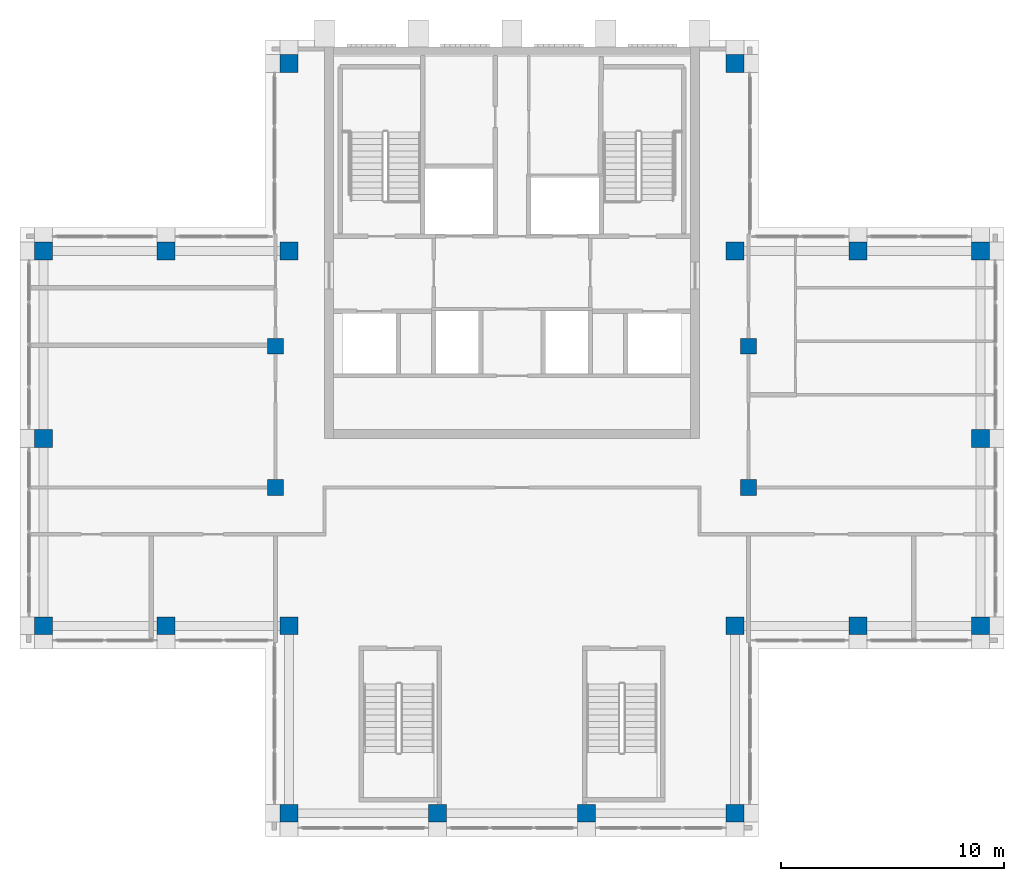
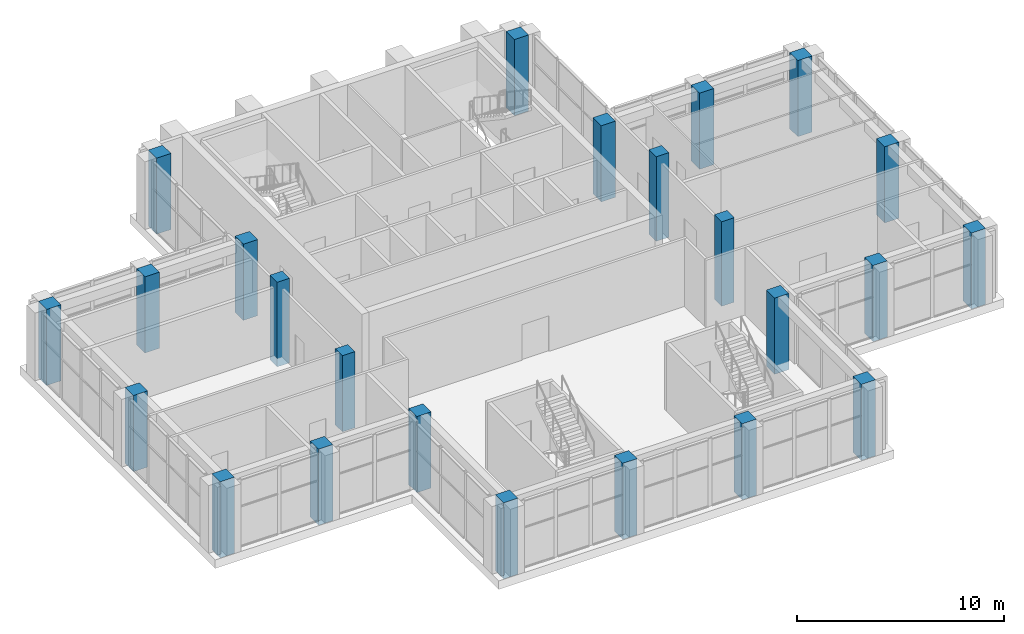
# One storey, part 1 of 14: 24 columns.
"""IFC4 building model written with IfcOpenShell, lengths in metres."""

import ifcopenshell
import ifcopenshell.guid

model = None  # the IFC model being written
_history = None  # IfcOwnerHistory: only IFC2X3 demands one
_inside = {}  # id of a spatial element -> (the spatial element, [elements in it])
_under = {}  # id of a project, library or spatial element -> (it, [spatial elements below it])
_declared = {}  # id of a project -> (the project, [libraries it declares])
_typed = {}  # id of a type object -> (the type object, [elements of that type])
_made_of = {}  # id of a material, layer set ... -> (it, [elements and type objects made of it])


def new_model(schema):
    """Start an empty IFC model of exactly this schema.

    Asked for "IFC4X3", IfcOpenShell would pick the latest addendum, in which some entities
    have other attributes; the version numbers below select the first issue.
    IFC2X3 requires an IfcOwnerHistory on every rooted entity: one is made here for all.
    """
    global model, _history
    if schema == "IFC4X3":
        model = ifcopenshell.file(schema_version=(4, 3, 0, 0))
    else:
        model = ifcopenshell.file(schema=schema)
    _inside.clear()
    _under.clear()
    _declared.clear()
    _typed.clear()
    _made_of.clear()
    _history = None
    if model.schema == "IFC2X3":
        org = make("IfcOrganization", Name="unknown")
        user = make(
            "IfcPersonAndOrganization",
            ThePerson=make("IfcPerson", FamilyName="unknown"),
            TheOrganization=org,
        )
        app = make(
            "IfcApplication",
            ApplicationDeveloper=org,
            Version="unknown",
            ApplicationFullName="unknown",
            ApplicationIdentifier="unknown",
        )
        _history = make(
            "IfcOwnerHistory",
            OwningUser=user,
            OwningApplication=app,
            ChangeAction="ADDED",
            CreationDate=0,
        )
    return model


def make(cls, **values):
    """One entity of the class cls with the attributes given. An attribute that is None is left unset."""
    return model.create_entity(
        cls, **{name: value for name, value in values.items() if value is not None}
    )


def rooted(cls, **values):
    """An entity with a GlobalId (a new one), such as an element, a storey or a relation."""
    return make(cls, GlobalId=ifcopenshell.guid.new(), OwnerHistory=_history, **values)


def si_unit(unit_type, name, prefix=None):
    """IfcSIUnit, for example si_unit("LENGTHUNIT", "METRE", prefix="MILLI")."""
    return make("IfcSIUnit", UnitType=unit_type, Prefix=prefix, Name=name)


def assignment(units):
    """IfcUnitAssignment: the units of a project."""
    return None if units is None else make("IfcUnitAssignment", Units=units)


def point(xyz):
    """IfcCartesianPoint."""
    return None if xyz is None else make("IfcCartesianPoint", Coordinates=xyz)


def direction(xyz):
    """IfcDirection."""
    return None if xyz is None else make("IfcDirection", DirectionRatios=xyz)


def frame(location, z_axis=None, x_axis=None):
    """IfcAxis2Placement3D, a coordinate frame: its origin and axes. An axis left out is left unset."""
    return make(
        "IfcAxis2Placement3D",
        Location=point(location),
        Axis=direction(z_axis),
        RefDirection=direction(x_axis),
    )


def frame_2d(location, x_axis=None):
    """IfcAxis2Placement2D, a coordinate frame in the plane: its origin and x axis."""
    return make(
        "IfcAxis2Placement2D", Location=point(location), RefDirection=direction(x_axis)
    )


def origin():
    """The frame at (0, 0, 0) with its axes left unset."""
    return frame((0.0, 0.0, 0.0))


def origin_2d():
    """The frame at (0, 0) in the plane with its x axis left unset."""
    return frame_2d((0.0, 0.0))


def place(relative_to, where):
    """IfcLocalPlacement: puts the frame where relative to a parent placement (None: the world)."""
    return make(
        "IfcLocalPlacement", PlacementRelTo=relative_to, RelativePlacement=where
    )


def context(
    kind, dimensions, precision=None, world=None, true_north=None, identifier=None
):
    """IfcGeometricRepresentationContext, for example the 3D "Model" context."""
    return make(
        "IfcGeometricRepresentationContext",
        ContextIdentifier=identifier,
        ContextType=kind,
        CoordinateSpaceDimension=dimensions,
        Precision=precision,
        WorldCoordinateSystem=world,
        TrueNorth=true_north,
    )


def subcontext(parent, identifier, kind, view, scale=None):
    """IfcGeometricRepresentationSubContext, for example "Body" below "Model"."""
    return make(
        "IfcGeometricRepresentationSubContext",
        ContextIdentifier=identifier,
        ContextType=kind,
        ParentContext=parent,
        TargetScale=scale,
        TargetView=view,
    )


def project(units=None, contexts=None):
    """IfcProject with its units and contexts."""
    return rooted(
        "IfcProject",
        Name="project",
        RepresentationContexts=contexts,
        UnitsInContext=assignment(units),
    )


def spatial(cls, under=None, at=None, **own):
    """A site, building, storey or space (cls), placed at a placement, below another one or the project."""
    s = rooted(cls, ObjectPlacement=at, **own)
    if under is not None:
        _under.setdefault(under.id(), (under, []))[1].append(s)
    return s


def profile(cls, at=None, kind="AREA", **sizes):
    """A parametric profile (cls). Its sizes go by their IFC names, for example OverallWidth=200.0."""
    return make(cls, ProfileType=kind, Position=at, **sizes)


def rectangle(**sizes):
    """IfcRectangleProfileDef."""
    return profile("IfcRectangleProfileDef", **sizes)


def extrude(swept, where, along, depth):
    """IfcExtrudedAreaSolid: the profile swept, set in the frame where, extruded along a direction by depth."""
    return make(
        "IfcExtrudedAreaSolid",
        SweptArea=swept,
        Position=where,
        ExtrudedDirection=direction(along),
        Depth=depth,
    )


def shape(context_of_items, identifier, shape_type, items):
    """IfcShapeRepresentation: the items that make up one representation, for example the "Body"."""
    return make(
        "IfcShapeRepresentation",
        ContextOfItems=context_of_items,
        RepresentationIdentifier=identifier,
        RepresentationType=shape_type,
        Items=items,
    )


def material(Name=None, Category=None):
    """IfcMaterial."""
    return make("IfcMaterial", Name=Name, Category=Category)


def material_profile(
    of_material, cross_section, Name=None, Category=None, Priority=None
):
    """IfcMaterialProfile: a cross section and its material."""
    return make(
        "IfcMaterialProfile",
        Name=Name,
        Material=of_material,
        Profile=cross_section,
        Priority=Priority,
        Category=Category,
    )


def profile_set(profiles, Name=None, composite=None):
    """IfcMaterialProfileSet."""
    return make(
        "IfcMaterialProfileSet",
        Name=Name,
        MaterialProfiles=profiles,
        CompositeProfile=composite,
    )


def made_of(thing, what):
    """Note that an element or type object is made of a material, layer set ...; save() writes the relation."""
    if what is not None:
        _made_of.setdefault(what.id(), (what, []))[1].append(thing)
    return thing


def type_object(cls, material=None, **own):
    """A type object (cls), such as IfcWallType, which elements share."""
    return made_of(rooted(cls, **own), material)


def element(
    cls,
    number,
    at=None,
    inside=None,
    cuts=None,
    type_object=None,
    material=None,
    context=None,
    identifier="Body",
    shape_type=None,
    held_by="IfcProductDefinitionShape",
    body=None,
    shapes=None,
    **own,
):
    """One element of the class cls, such as IfcWall. Its Tag is "e" and its number.

    at: its placement. inside: the storey or other place that contains it. cuts: it is an
    opening in that element (IfcRelVoidsElement). A single representation is given by context,
    identifier, shape_type and body (its items); several are given by shapes. held_by: the class
    of the entity that holds the representations. save() writes the other relations.
    """
    e = rooted(cls, Tag="e%d" % number, ObjectPlacement=at, **own)
    if body is not None:
        shapes = [shape(context, identifier, shape_type, body)]
    if shapes is not None:
        e.Representation = make(held_by, Representations=shapes)
    if inside is not None:
        _inside.setdefault(inside.id(), (inside, []))[1].append(e)
    if cuts is not None:
        rooted(
            "IfcRelVoidsElement", RelatingBuildingElement=cuts, RelatedOpeningElement=e
        )
    if type_object is not None:
        _typed.setdefault(type_object.id(), (type_object, []))[1].append(e)
    return made_of(e, material)


def aggregate(whole, parts):
    """IfcRelAggregates: a whole, such as a stair, and the parts it consists of."""
    return rooted("IfcRelAggregates", RelatingObject=whole, RelatedObjects=parts)


def save(model, path):
    """Write the relations noted so far, then the file.

    IfcRelAggregates (storeys below a building ...), IfcRelContainedInSpatialStructure (elements
    in a storey), IfcRelDefinesByType, IfcRelAssociatesMaterial and IfcRelDeclares: one each for
    every whole, place, type object, material and project.
    """
    for whole, parts in _under.values():
        aggregate(whole, parts)
    for where, things in _inside.values():
        rooted(
            "IfcRelContainedInSpatialStructure",
            RelatedElements=things,
            RelatingStructure=where,
        )
    for kind, things in _typed.values():
        rooted("IfcRelDefinesByType", RelatedObjects=things, RelatingType=kind)
    for what, things in _made_of.values():
        rooted("IfcRelAssociatesMaterial", RelatedObjects=things, RelatingMaterial=what)
    for by, libraries in _declared.values():
        rooted("IfcRelDeclares", RelatingContext=by, RelatedDefinitions=libraries)
    model.write(path)


model = new_model("IFC4")

# Units and contexts
model_context = context("Model", 3, precision=1e-05, world=origin(), true_north=direction((0.0, 1.0)))
body_context = subcontext(model_context, "Body", "Model", "MODEL_VIEW")
ifc_project = project(units=[si_unit("LENGTHUNIT", "METRE"), si_unit("AREAUNIT", "SQUARE_METRE"), si_unit("VOLUMEUNIT", "CUBIC_METRE"), si_unit("PLANEANGLEUNIT", "RADIAN"), si_unit("MASSUNIT", "GRAM", prefix="KILO")], contexts=[model_context])

# Site, building, storey
site_placement = place(None, origin())
site = spatial("IfcSite", under=ifc_project, at=site_placement, CompositionType="ELEMENT")
building_placement = place(site_placement, origin())
building = spatial("IfcBuilding", under=site, at=building_placement, Name="Vermilion Ogive Tower", CompositionType="ELEMENT")
storey_placement = place(building_placement, frame((0.0, 0.0, 273.85009765625)))
storey = spatial("IfcBuildingStorey", under=building, at=storey_placement, Name="L72", CompositionType="ELEMENT", Elevation=273.85009765625)

# Columns
ifc_material_1 = material(Name="Concrete B45", Category="concrete")
ifc_material_profile_1 = material_profile(ifc_material_1, rectangle(XDim=0.800048828125, YDim=0.800048828125, at=origin_2d()), Name="800 x 800")
ifc_profile_set_1 = profile_set([ifc_material_profile_1], Name="Concrete B45")
column_type_1 = type_object("IfcColumnType", Name="Perimeter column 800 x 800 B45", PredefinedType="COLUMN", material=ifc_profile_set_1)
for number, where, z_axis, x_axis, name in (
    (1, (-10.0, -12.60009765625, -0.5), (0.0, 0.0, 1.0), (1.0, 0.0, 0.0), "COL-L72-P-0100-126"),
    (2, (-3.333251953125, -12.60009765625, -0.5), (0.0, 0.0, 1.0), (1.0, 0.0, 0.0), "COL-L72-P-0033-126"),
    (3, (3.333251953125, -12.60009765625, -0.5), (0.0, 0.0, 1.0), (1.0, 0.0, 0.0), "COL-L72-P+0033-126"),
    (4, (10.0, -12.60009765625, -0.5), (0.0, 0.0, 1.0), (1.0, 0.0, 0.0), "COL-L72-P+0100-126"),
    (5, (-21.0, -4.199951171875, -0.5), (0.0, 0.0, 1.0), (1.0, 0.0, 0.0), "COL-L72-P-0210-042"),
    (6, (-15.5, -4.199951171875, -0.5), (0.0, 0.0, 1.0), (1.0, 0.0, 0.0), "COL-L72-P-0155-042"),
    (7, (-10.0, -4.199951171875, -0.5), (0.0, 0.0, 1.0), (1.0, 0.0, 0.0), "COL-L72-P-0100-042"),
    (8, (10.0, -4.199951171875, -0.5), (0.0, 0.0, 1.0), (1.0, 0.0, 0.0), "COL-L72-P+0100-042"),
    (9, (15.5, -4.199951171875, -0.5), (0.0, 0.0, 1.0), (1.0, 0.0, 0.0), "COL-L72-P+0155-042"),
    (10, (21.0, -4.199951171875, -0.5), (0.0, 0.0, 1.0), (1.0, 0.0, 0.0), "COL-L72-P+0210-042"),
    (11, (-21.0, 4.199951171875, -0.5), (0.0, 0.0, 1.0), (1.0, 0.0, 0.0), "COL-L72-P-0210+042"),
    (12, (21.0, 4.199951171875, -0.5), (0.0, 0.0, 1.0), (1.0, 0.0, 0.0), "COL-L72-P+0210+042"),
    (13, (-21.0, 12.60009765625, -0.5), (0.0, 0.0, 1.0), (1.0, 0.0, 0.0), "COL-L72-P-0210+126"),
    (14, (-15.5, 12.60009765625, -0.5), (0.0, 0.0, 1.0), (1.0, 0.0, 0.0), "COL-L72-P-0155+126"),
    (15, (-10.0, 12.60009765625, -0.5), (0.0, 0.0, 1.0), (1.0, 0.0, 0.0), "COL-L72-P-0100+126"),
    (16, (10.0, 12.60009765625, -0.5), (0.0, 0.0, 1.0), (1.0, 0.0, 0.0), "COL-L72-P+0100+126"),
    (17, (15.5, 12.60009765625, -0.5), (0.0, 0.0, 1.0), (1.0, 0.0, 0.0), "COL-L72-P+0155+126"),
    (18, (21.0, 12.60009765625, -0.5), (0.0, 0.0, 1.0), (1.0, 0.0, 0.0), "COL-L72-P+0210+126"),
    (19, (-10.0, 21.0, -0.5), (0.0, 0.0, 1.0), (1.0, 0.0, 0.0), "COL-L72-P-0100+210"),
    (20, (10.0, 21.0, -0.5), (0.0, 0.0, 1.0), (1.0, 0.0, 0.0), "COL-L72-P+0100+210"),
):
    element("IfcColumn", number, at=place(storey_placement, frame(where, z_axis=z_axis, x_axis=x_axis)), inside=storey, type_object=column_type_1, Name=name, PredefinedType="COLUMN", context=body_context, shape_type="SweptSolid", body=[
        extrude(rectangle(XDim=0.800048828125, YDim=0.800048828125, at=origin_2d()), origin(), (0.0, 0.0, 1.0), 4.5),
    ])
ifc_material_2 = material(Name="Concrete B45", Category="concrete")
ifc_material_profile_2 = material_profile(ifc_material_2, rectangle(XDim=0.699951171875, YDim=0.699951171875, at=origin_2d()), Name="700 x 700")
ifc_profile_set_2 = profile_set([ifc_material_profile_2], Name="Concrete B45")
column_type_2 = type_object("IfcColumnType", Name="Ring column 700 x 700 B45", PredefinedType="COLUMN", material=ifc_profile_set_2)
column_placement = place(storey_placement, frame((-10.60009765625, 2.0, -0.5), z_axis=(0.0, 0.0, 1.0), x_axis=(1.0, 0.0, 0.0)))
element("IfcColumn", 21, at=column_placement, inside=storey, type_object=column_type_2, Name="COL-L72-R-0106+020", PredefinedType="COLUMN", context=body_context, shape_type="SweptSolid", body=[
    extrude(rectangle(XDim=0.699951171875, YDim=0.699951171875, at=origin_2d()), origin(), (0.0, 0.0, 1.0), 4.5),
])
for number, where, z_axis, x_axis, name in (
    (22, (10.60009765625, 2.0, -0.5), (0.0, 0.0, 1.0), (1.0, 0.0, 0.0), "COL-L72-R+0106+020"),
    (23, (-10.60009765625, 8.333251953125, -0.5), (0.0, 0.0, 1.0), (1.0, 0.0, 0.0), "COL-L72-R-0106+083"),
    (24, (10.60009765625, 8.333251953125, -0.5), (0.0, 0.0, 1.0), (1.0, 0.0, 0.0), "COL-L72-R+0106+083"),
):
    element("IfcColumn", number, at=place(storey_placement, frame(where, z_axis=z_axis, x_axis=x_axis)), inside=storey, type_object=column_type_2, Name=name, PredefinedType="COLUMN", context=body_context, shape_type="SweptSolid", body=[
        extrude(rectangle(XDim=0.699951171875, YDim=0.699951171875, at=origin_2d()), origin(), (0.0, 0.0, 1.0), 5.0),
    ])

save(model, "model.ifc")
